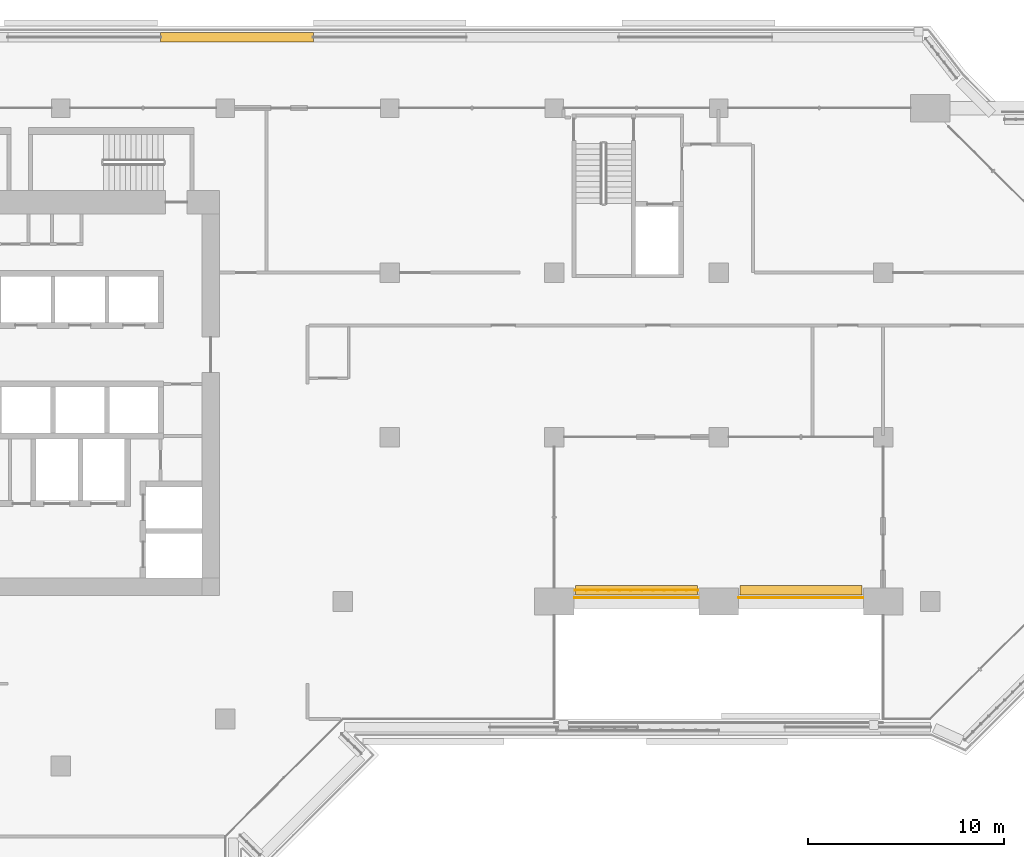
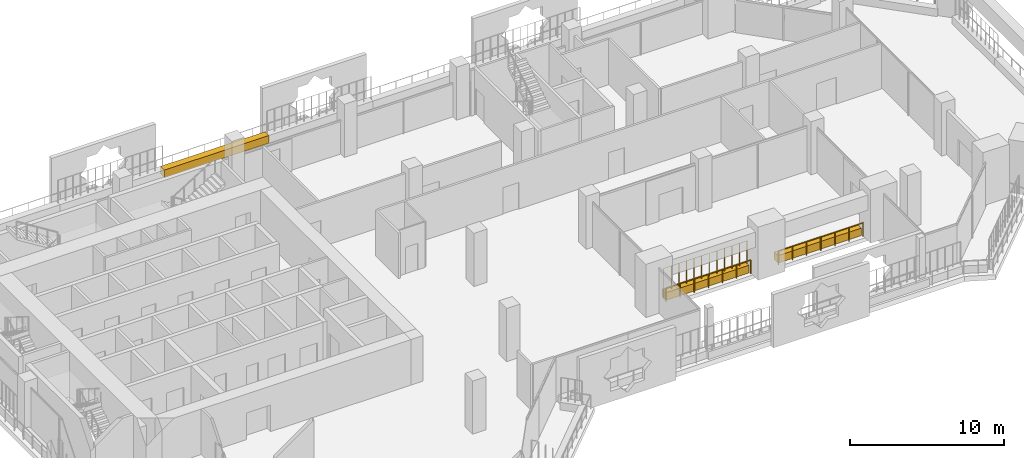
# One storey, part 21 of 23: 3 coverings, 3 railings.
"""IFC4 building model written with IfcOpenShell, lengths in metres."""

from ifc_helpers import new_model, si_unit, direction, frame, origin, origin_2d, place, context, subcontext, project, spatial, rectangle, circle, extrude, material, material_profile, profile_set, type_object, element, save


model = new_model("IFC4")

# Units and contexts
model_context = context("Model", 3, precision=1e-05, world=origin(), true_north=direction((0.0, 1.0)))
body_context = subcontext(model_context, "Body", "Model", "MODEL_VIEW")
ifc_project = project(units=[si_unit("LENGTHUNIT", "METRE"), si_unit("AREAUNIT", "SQUARE_METRE"), si_unit("VOLUMEUNIT", "CUBIC_METRE"), si_unit("PLANEANGLEUNIT", "RADIAN"), si_unit("MASSUNIT", "GRAM", prefix="KILO")], contexts=[model_context])

# Site, building, storey
site_placement = place(None, origin())
site = spatial("IfcSite", under=ifc_project, at=site_placement, CompositionType="ELEMENT")
building_placement = place(site_placement, origin())
building = spatial("IfcBuilding", under=site, at=building_placement, Name="Kawkab Arch Medical Tower", CompositionType="ELEMENT")
storey_placement = place(building_placement, frame((0.0, 0.0, 158.39990234375)))
storey = spatial("IfcBuildingStorey", under=building, at=storey_placement, Name="L36", CompositionType="ELEMENT", Elevation=158.39990234375)

# Railings
ifc_material_1 = material(Name="Bronze anodised aluminium guard", Category="aluminium")
railing_type_1 = type_object("IfcRailingType", Name="Loggia and terrace guard 1100", PredefinedType="GUARDRAIL", material=ifc_material_1)
for number, where, name in (
    (1, (43.030029296875, -25.0, 0.0), "Guard L36.TER-02.1.1"),
    (2, (51.429931640625, -25.0, 0.0), "Guard L36.TER-02.1.2"),
):
    element("IfcRailing", number, at=place(storey_placement, frame(where)), inside=storey, type_object=railing_type_1, Name=name, PredefinedType="GUARDRAIL", context=body_context, shape_type="SweptSolid", body=[
        extrude(circle(Radius=0.02392578125, at=origin_2d()), frame((0.0, 0.0, 1.076171875), z_axis=(1.0, 0.0, 0.0), x_axis=(0.0, 1.0, 0.0)), (0.0, 0.0, 1.0), 6.340087890625),
        extrude(circle(Radius=0.02099609375, at=origin_2d()), origin(), (0.0, 0.0, 1.0), 1.052001953125),
        extrude(circle(Radius=0.02099609375, at=origin_2d()), frame((1.056640625, 0.0, 0.0)), (0.0, 0.0, 1.0), 1.052001953125),
        extrude(circle(Radius=0.02099609375, at=origin_2d()), frame((2.11328125, 0.0, 0.0)), (0.0, 0.0, 1.0), 1.052001953125),
        extrude(circle(Radius=0.02099609375, at=origin_2d()), frame((3.169921875, 0.0, 0.0)), (0.0, 0.0, 1.0), 1.052001953125),
        extrude(circle(Radius=0.02099609375, at=origin_2d()), frame((4.226806640625, 0.0, 0.0)), (0.0, 0.0, 1.0), 1.052001953125),
        extrude(circle(Radius=0.02099609375, at=origin_2d()), frame((5.283447265625, 0.0, 0.0)), (0.0, 0.0, 1.0), 1.052001953125),
        extrude(circle(Radius=0.02099609375, at=origin_2d()), frame((6.340087890625, 0.0, 0.0)), (0.0, 0.0, 1.0), 1.052001953125),
    ])

# Coverings
ifc_material_2 = material(Name="Planting soil in a precast trough", Category="concrete")
ifc_material_profile = material_profile(ifc_material_2, rectangle(XDim=0.5, YDim=0.60009765625, at=origin_2d()), Name="Trough 500x600")
ifc_profile_set = profile_set([ifc_material_profile], Name="Planting soil in a precast trough")
covering_type = type_object("IfcCoveringType", Name="Planter trough 500 x 600", PredefinedType="USERDEFINED", material=ifc_profile_set)
for number, where, z_axis, x_axis, name in (
    (3, (43.080078125, -24.6201171875, 0.300048828125), (1.0, 0.0, 0.0), (0.0, 1.0, 0.0), "Planter L36.TER-02-01.1"),
    (4, (51.47998046875, -24.6201171875, 0.300048828125), (1.0, 0.0, 0.0), (0.0, 1.0, 0.0), "Planter L36.TER-02-01.2"),
):
    element("IfcCovering", number, at=place(storey_placement, frame(where, z_axis=z_axis, x_axis=x_axis)), inside=storey, type_object=covering_type, Name=name, ObjectType="PLANTER", PredefinedType="USERDEFINED", context=body_context, shape_type="SweptSolid", body=[
        extrude(rectangle(XDim=0.5, YDim=0.60009765625, at=origin_2d()), origin(), (0.0, 0.0, 1.0), 6.239990234375),
    ])
covering_placement = place(storey_placement, frame((21.89306640625, 3.6201171875, 0.300048828125), z_axis=(1.0, 0.0, 0.0), x_axis=(0.0, 1.0, 0.0)))
element("IfcCovering", 5, at=covering_placement, inside=storey, type_object=covering_type, Name="Planter L36.LOG-01-02.36", ObjectType="PLANTER", PredefinedType="USERDEFINED", context=body_context, shape_type="SweptSolid", body=[
    extrude(rectangle(XDim=0.5, YDim=0.60009765625, at=origin_2d()), origin(), (0.0, 0.0, 1.0), 7.804931640625),
])

# Railing
ifc_material_3 = material(Name="Bronze anodised aluminium trellis for climbing plants", Category="aluminium")
railing_type_2 = type_object("IfcRailingType", Name="Planting trellis 2400", PredefinedType="USERDEFINED", material=ifc_material_3)
railing_placement = place(storey_placement, frame((43.080078125, -24.6201171875, 0.0)))
element("IfcRailing", 6, at=railing_placement, inside=storey, type_object=railing_type_2, Name="Planting trellis L36.TER-02-01.1", ObjectType="TRELLIS", PredefinedType="USERDEFINED", context=body_context, shape_type="SweptSolid", body=[
    extrude(circle(Radius=0.01513671875, at=origin_2d()), frame((0.0, 0.0, 2.384765625), z_axis=(1.0, 0.0, 0.0), x_axis=(0.0, 1.0, 0.0)), (0.0, 0.0, 1.0), 6.239990234375),
    extrude(circle(Radius=0.030029296875, at=origin_2d()), origin(), (0.0, 0.0, 1.0), 2.369873046875),
    extrude(circle(Radius=0.030029296875, at=origin_2d()), frame((0.5673828125, 0.0, 0.0)), (0.0, 0.0, 1.0), 2.369873046875),
    extrude(circle(Radius=0.030029296875, at=origin_2d()), frame((1.134521484375, 0.0, 0.0)), (0.0, 0.0, 1.0), 2.369873046875),
    extrude(circle(Radius=0.030029296875, at=origin_2d()), frame((1.701904296875, 0.0, 0.0)), (0.0, 0.0, 1.0), 2.369873046875),
    extrude(circle(Radius=0.030029296875, at=origin_2d()), frame((2.26904296875, 0.0, 0.0)), (0.0, 0.0, 1.0), 2.369873046875),
    extrude(circle(Radius=0.030029296875, at=origin_2d()), frame((2.83642578125, 0.0, 0.0)), (0.0, 0.0, 1.0), 2.369873046875),
    extrude(circle(Radius=0.030029296875, at=origin_2d()), frame((3.403564453125, 0.0, 0.0)), (0.0, 0.0, 1.0), 2.369873046875),
    extrude(circle(Radius=0.030029296875, at=origin_2d()), frame((3.970947265625, 0.0, 0.0)), (0.0, 0.0, 1.0), 2.369873046875),
    extrude(circle(Radius=0.030029296875, at=origin_2d()), frame((4.5380859375, 0.0, 0.0)), (0.0, 0.0, 1.0), 2.369873046875),
    extrude(circle(Radius=0.030029296875, at=origin_2d()), frame((5.10546875, 0.0, 0.0)), (0.0, 0.0, 1.0), 2.369873046875),
    extrude(circle(Radius=0.030029296875, at=origin_2d()), frame((5.672607421875, 0.0, 0.0)), (0.0, 0.0, 1.0), 2.369873046875),
    extrude(circle(Radius=0.030029296875, at=origin_2d()), frame((6.239990234375, 0.0, 0.0)), (0.0, 0.0, 1.0), 2.369873046875),
])

save(model, "model.ifc")
